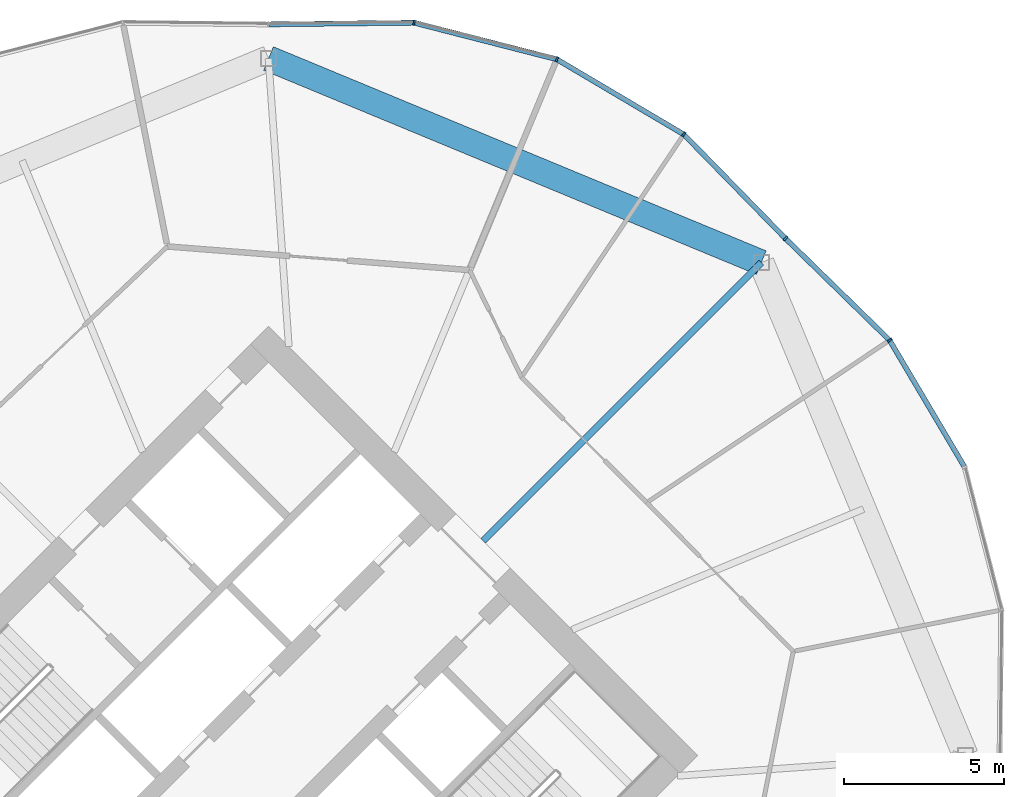
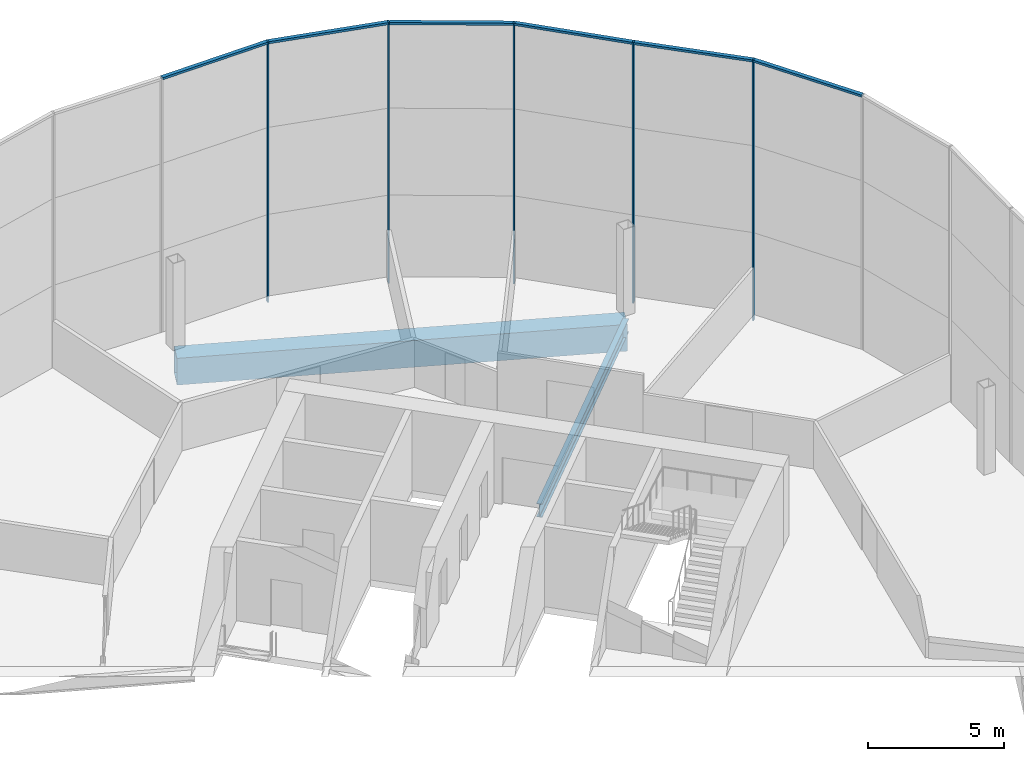
# One storey, part 15 of 25: 11 members, 2 beams, 2 elements without a shape of their own.
"""IFC4 building model written with IfcOpenShell, lengths in metres."""

from ifc_helpers import new_model, si_unit, direction, frame, origin, origin_2d, place, context, subcontext, project, spatial, rectangle, hollow_rectangle, i_section, extrude, material, material_profile, profile_set, type_object, element, aggregate, save


model = new_model("IFC4")

# Units and contexts
model_context = context("Model", 3, precision=1e-05, world=origin(), true_north=direction((0.0, 1.0)))
body_context = subcontext(model_context, "Body", "Model", "MODEL_VIEW")
ifc_project = project(units=[si_unit("LENGTHUNIT", "METRE"), si_unit("AREAUNIT", "SQUARE_METRE"), si_unit("VOLUMEUNIT", "CUBIC_METRE"), si_unit("PLANEANGLEUNIT", "RADIAN"), si_unit("MASSUNIT", "GRAM", prefix="KILO")], contexts=[model_context])

# Site, building, storey
site_placement = place(None, origin())
site = spatial("IfcSite", under=ifc_project, at=site_placement, CompositionType="ELEMENT")
building_placement = place(site_placement, origin())
building = spatial("IfcBuilding", under=site, at=building_placement, Name="Ogive Gate Towers", CompositionType="ELEMENT")
storey_placement = place(building_placement, frame((0.0, 0.0, 44.10009765625)))
storey = spatial("IfcBuildingStorey", under=building, at=storey_placement, Name="L09", CompositionType="ELEMENT", Elevation=44.10009765625)

# Beams
ifc_material_1 = material(Name="Steel SM460", Category="steel")
ifc_material_profile_1 = material_profile(ifc_material_1, hollow_rectangle(XDim=0.800048828125, YDim=1.199951171875, WallThickness=0.050048828125, at=origin_2d()), Name="BX 1200x800x50")
ifc_profile_set_1 = profile_set([ifc_material_profile_1], Name="Steel SM460")
beam_type_1 = type_object("IfcBeamType", Name="Edge girder BX 1200x800x50", PredefinedType="BEAM", material=ifc_profile_set_1)
beam_1_placement = place(storey_placement, frame((51.422119140625, 15.422119140625, -0.900146484375), z_axis=(-0.923881893128, 0.382677733282, 0.0), x_axis=(-0.382677733282, -0.923881893128, 0.0)))
element("IfcBeam", 1, at=beam_1_placement, inside=storey, type_object=beam_type_1, Name="T2/L09/SBM021", PredefinedType="BEAM", context=body_context, shape_type="SweptSolid", body=[
    extrude(hollow_rectangle(XDim=0.800048828125, YDim=1.199951171875, WallThickness=0.050048828125, at=origin_2d()), origin(), (0.0, 0.0, 1.0), 16.692626953125),
])
ifc_material_2 = material(Name="Steel SM355", Category="steel")
ifc_material_profile_2 = material_profile(ifc_material_2, i_section(OverallWidth=0.219970703125, OverallDepth=0.60009765625, WebThickness=0.011962890625, FlangeThickness=0.01904296875, FilletRadius=0.02392578125, at=origin_2d()), Name="IPE 600")
ifc_profile_set_2 = profile_set([ifc_material_profile_2], Name="Steel SM355")
beam_type_2 = type_object("IfcBeamType", Name="Radial floor beam IPE 600", PredefinedType="BEAM", material=ifc_profile_set_2)
beam_2_placement = place(storey_placement, frame((42.717529296875, 6.717529296875, -0.60009765625), z_axis=(0.707106781187, 0.707106781187, 0.0), x_axis=(-0.707106781187, 0.707106781187, 0.0)))
element("IfcBeam", 2, at=beam_2_placement, inside=storey, type_object=beam_type_2, Name="T2/L09/SBM009", PredefinedType="BEAM", context=body_context, shape_type="SweptSolid", body=[
    extrude(i_section(OverallWidth=0.219970703125, OverallDepth=0.60009765625, WebThickness=0.011962890625, FlangeThickness=0.01904296875, FilletRadius=0.02392578125, at=origin_2d()), origin(), (0.0, 0.0, 1.0), 12.31005859375),
])

# Curtain wall, members
ifc_material_3 = material(Name="Pale metal aluminium", Category="aluminium")
curtain_wall_type = type_object("IfcCurtainWallType", Name="Tower unitised wall, low zone", PredefinedType="NOTDEFINED", material=ifc_material_3)
curtain_wall_1_placement = place(storey_placement, origin())
curtain_wall_1 = element("IfcCurtainWall", 3, at=curtain_wall_1_placement, inside=storey, type_object=curtain_wall_type, Name="CW1 T2 ECW01", PredefinedType="NOTDEFINED")
ifc_material_profile_3 = material_profile(ifc_material_3, rectangle(XDim=0.159912109375, YDim=0.06005859375, at=origin_2d()), Name="60 x 160 aluminium box")
ifc_profile_set_3 = profile_set([ifc_material_profile_3], Name="Pale metal aluminium")
member_type_1 = type_object("IfcMemberType", Name="Tower unitised wall, low zone mullion 60 x 160", PredefinedType="MULLION", material=ifc_profile_set_3)
member_1_placement = place(storey_placement, frame((55.43701171875, 12.99462890625, -0.300048828125), z_axis=(0.0, 0.0, 1.0), x_axis=(0.786557949393, 0.617516471235, 0.0)))
member_1 = element("IfcMember", 4, at=member_1_placement, type_object=member_type_1, Name="CW1 mullion", PredefinedType="MULLION", context=body_context, shape_type="SweptSolid", body=[
    extrude(rectangle(XDim=0.159912109375, YDim=0.06005859375, at=origin_2d()), origin(), (0.0, 0.0, 1.0), 11.699951171875),
])
member_2_placement = place(storey_placement, frame((52.1787109375, 16.178466796875, -0.300048828125), z_axis=(0.0, 0.0, 1.0), x_axis=(0.698914762976, 0.715204973482, 0.0)))
member_2 = element("IfcMember", 5, at=member_2_placement, type_object=member_type_1, Name="CW1 mullion", PredefinedType="MULLION", context=body_context, shape_type="SweptSolid", body=[
    extrude(rectangle(XDim=0.159912109375, YDim=0.06005859375, at=origin_2d()), origin(), (0.0, 0.0, 1.0), 11.699951171875),
])

curtain_wall_2_placement = place(storey_placement, origin())
curtain_wall_2 = element("IfcCurtainWall", 6, at=curtain_wall_2_placement, inside=storey, type_object=curtain_wall_type, Name="CW1 T2 ECW02", PredefinedType="NOTDEFINED")
member_3_placement = place(storey_placement, frame((48.99462890625, 19.43701171875, -0.300048828125), z_axis=(0.0, 0.0, 1.0), x_axis=(0.617516471235, 0.786557949393, 0.0)))
member_3 = element("IfcMember", 7, at=member_3_placement, type_object=member_type_1, Name="CW1 mullion", PredefinedType="MULLION", context=body_context, shape_type="SweptSolid", body=[
    extrude(rectangle(XDim=0.159912109375, YDim=0.06005859375, at=origin_2d()), origin(), (0.0, 0.0, 1.0), 11.699951171875),
])
member_4_placement = place(storey_placement, frame((45.02392578125, 21.785888671875, -0.300048828125), z_axis=(0.0, 0.0, 1.0), x_axis=(0.382683432365, 0.923879532511, 0.0)))
member_4 = element("IfcMember", 8, at=member_4_placement, type_object=member_type_1, Name="CW1 mullion", PredefinedType="MULLION", context=body_context, shape_type="SweptSolid", body=[
    extrude(rectangle(XDim=0.159912109375, YDim=0.06005859375, at=origin_2d()), origin(), (0.0, 0.0, 1.0), 11.699951171875),
])
member_5_placement = place(storey_placement, frame((40.555419921875, 22.9326171875, -0.300048828125), z_axis=(0.0, 0.0, 1.0), x_axis=(0.119547703651, 0.992828457767, 0.0)))
member_5 = element("IfcMember", 9, at=member_5_placement, type_object=member_type_1, Name="CW1 mullion", PredefinedType="MULLION", context=body_context, shape_type="SweptSolid", body=[
    extrude(rectangle(XDim=0.159912109375, YDim=0.06005859375, at=origin_2d()), origin(), (0.0, 0.0, 1.0), 11.699951171875),
])

# Member
ifc_material_profile_4 = material_profile(ifc_material_3, rectangle(XDim=0.159912109375, YDim=0.10009765625, at=origin_2d()), Name="100 x 160 aluminium box")
ifc_profile_set_4 = profile_set([ifc_material_profile_4], Name="Pale metal aluminium")
member_type_2 = type_object("IfcMemberType", Name="Tower unitised wall, low zone transom 100 x 160", PredefinedType="USERDEFINED", material=ifc_profile_set_4)
member_6_placement = place(storey_placement, frame((57.77197265625, 9.04736328125, 11.349853515625), z_axis=(-0.509162247651, 0.860670555769, 0.0), x_axis=(-0.860670555769, -0.509162247651, 0.0)))
member_6 = element("IfcMember", 10, at=member_6_placement, type_object=member_type_2, Name="CW1 transom", ObjectType="TRANSOM", PredefinedType="USERDEFINED", context=body_context, shape_type="SweptSolid", body=[
    extrude(rectangle(XDim=0.159912109375, YDim=0.10009765625, at=origin_2d()), origin(), (0.0, 0.0, 1.0), 4.55908203125),
])

member_7_placement = place(storey_placement, frame((55.417236328125, 13.013916015625, 11.349853515625), z_axis=(-0.715228515951, 0.698890670971, 0.0), x_axis=(-0.698890670971, -0.715228515951, 0.0)))
member_7 = element("IfcMember", 11, at=member_7_placement, type_object=member_type_2, Name="CW1 transom", ObjectType="TRANSOM", PredefinedType="USERDEFINED", context=body_context, shape_type="SweptSolid", body=[
    extrude(rectangle(XDim=0.159912109375, YDim=0.10009765625, at=origin_2d()), origin(), (0.0, 0.0, 1.0), 4.497802734375),
])

aggregate(curtain_wall_1, [member_1, member_6, member_2, member_7])

member_8_placement = place(storey_placement, frame((52.157470703125, 16.2001953125, 11.349853515625), z_axis=(-0.698890670971, 0.715228515951, 0.0), x_axis=(-0.715228515951, -0.698890670971, 0.0)))
member_8 = element("IfcMember", 12, at=member_8_placement, type_object=member_type_2, Name="CW1 transom", ObjectType="TRANSOM", PredefinedType="USERDEFINED", context=body_context, shape_type="SweptSolid", body=[
    extrude(rectangle(XDim=0.159912109375, YDim=0.10009765625, at=origin_2d()), origin(), (0.0, 0.0, 1.0), 4.497802734375),
])

member_9_placement = place(storey_placement, frame((48.97119140625, 19.45068359375, 11.349853515625), z_axis=(-0.860670555769, 0.509162247651, 0.0), x_axis=(-0.509162247651, -0.860670555769, 0.0)))
member_9 = element("IfcMember", 13, at=member_9_placement, type_object=member_type_2, Name="CW1 transom", ObjectType="TRANSOM", PredefinedType="USERDEFINED", context=body_context, shape_type="SweptSolid", body=[
    extrude(rectangle(XDim=0.159912109375, YDim=0.10009765625, at=origin_2d()), origin(), (0.0, 0.0, 1.0), 4.55908203125),
])

member_10_placement = place(storey_placement, frame((44.997802734375, 21.79248046875, 11.349853515625), z_axis=(-0.968624541573, 0.248528665272, 0.0), x_axis=(-0.248528665272, -0.968624541573, 0.0)))
member_10 = element("IfcMember", 14, at=member_10_placement, type_object=member_type_2, Name="CW1 transom", ObjectType="TRANSOM", PredefinedType="USERDEFINED", context=body_context, shape_type="SweptSolid", body=[
    extrude(rectangle(XDim=0.159912109375, YDim=0.10009765625, at=origin_2d()), origin(), (0.0, 0.0, 1.0), 4.55908203125),
])

member_11_placement = place(storey_placement, frame((40.52783203125, 22.93212890625, 11.349853515625), z_axis=(-0.999933789779, -0.011507217644, 0.0), x_axis=(0.011507217644, -0.999933789779, 0.0)))
member_11 = element("IfcMember", 15, at=member_11_placement, type_object=member_type_2, Name="CW1 transom", ObjectType="TRANSOM", PredefinedType="USERDEFINED", context=body_context, shape_type="SweptSolid", body=[
    extrude(rectangle(XDim=0.159912109375, YDim=0.10009765625, at=origin_2d()), origin(), (0.0, 0.0, 1.0), 4.497802734375),
])

aggregate(curtain_wall_2, [member_3, member_8, member_4, member_9, member_5, member_10, member_11])

save(model, "model.ifc")
